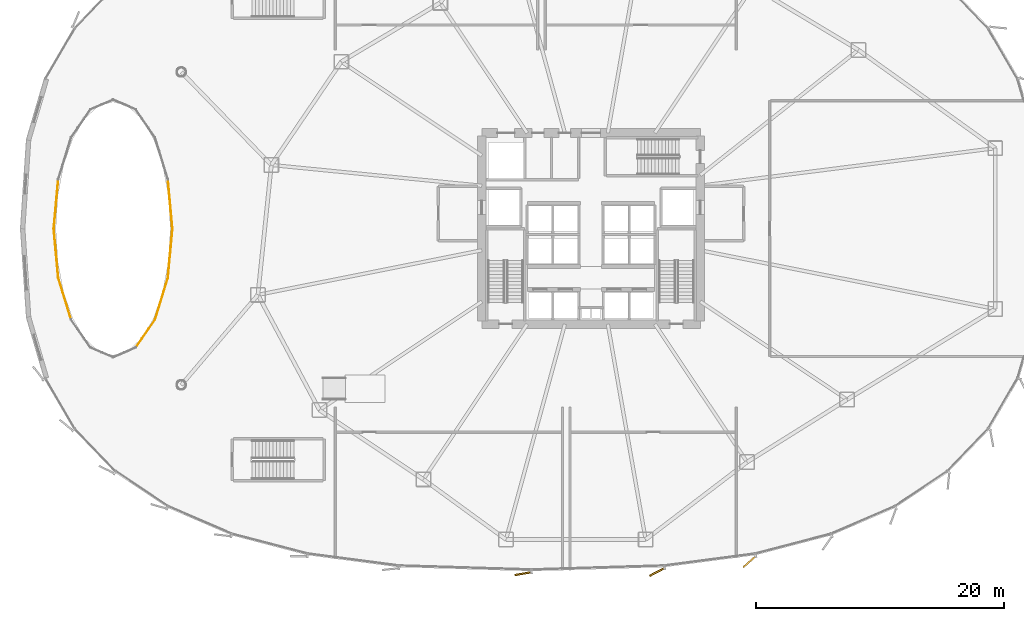
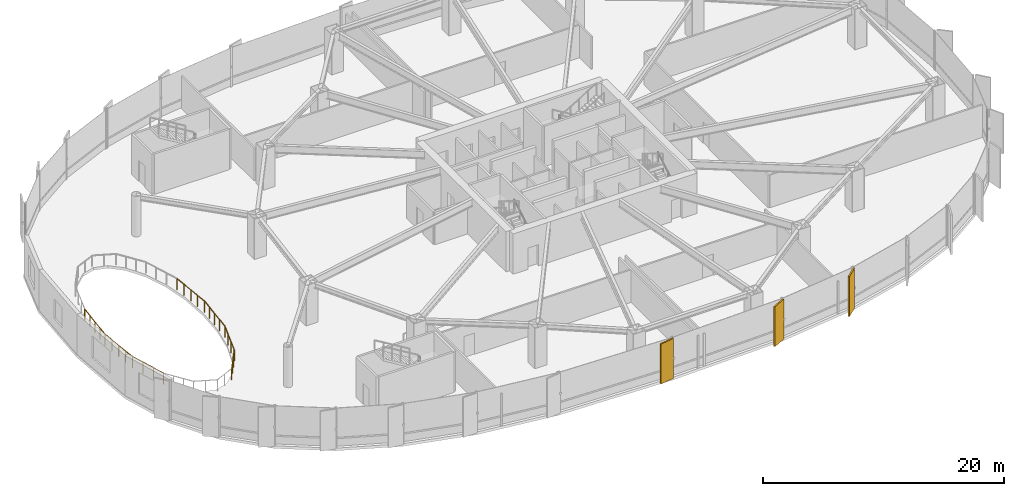
# One storey, part 30 of 34: 7 railings, 3 coverings.
"""IFC4 building model written with IfcOpenShell, lengths in metres."""

import ifcopenshell
import ifcopenshell.guid

model = None  # the IFC model being written
_history = None  # IfcOwnerHistory: only IFC2X3 demands one
_inside = {}  # id of a spatial element -> (the spatial element, [elements in it])
_under = {}  # id of a project, library or spatial element -> (it, [spatial elements below it])
_declared = {}  # id of a project -> (the project, [libraries it declares])
_typed = {}  # id of a type object -> (the type object, [elements of that type])
_made_of = {}  # id of a material, layer set ... -> (it, [elements and type objects made of it])


def new_model(schema):
    """Start an empty IFC model of exactly this schema.

    Asked for "IFC4X3", IfcOpenShell would pick the latest addendum, in which some entities
    have other attributes; the version numbers below select the first issue.
    IFC2X3 requires an IfcOwnerHistory on every rooted entity: one is made here for all.
    """
    global model, _history
    if schema == "IFC4X3":
        model = ifcopenshell.file(schema_version=(4, 3, 0, 0))
    else:
        model = ifcopenshell.file(schema=schema)
    _inside.clear()
    _under.clear()
    _declared.clear()
    _typed.clear()
    _made_of.clear()
    _history = None
    if model.schema == "IFC2X3":
        org = make("IfcOrganization", Name="unknown")
        user = make(
            "IfcPersonAndOrganization",
            ThePerson=make("IfcPerson", FamilyName="unknown"),
            TheOrganization=org,
        )
        app = make(
            "IfcApplication",
            ApplicationDeveloper=org,
            Version="unknown",
            ApplicationFullName="unknown",
            ApplicationIdentifier="unknown",
        )
        _history = make(
            "IfcOwnerHistory",
            OwningUser=user,
            OwningApplication=app,
            ChangeAction="ADDED",
            CreationDate=0,
        )
    return model


def make(cls, **values):
    """One entity of the class cls with the attributes given. An attribute that is None is left unset."""
    return model.create_entity(
        cls, **{name: value for name, value in values.items() if value is not None}
    )


def rooted(cls, **values):
    """An entity with a GlobalId (a new one), such as an element, a storey or a relation."""
    return make(cls, GlobalId=ifcopenshell.guid.new(), OwnerHistory=_history, **values)


def si_unit(unit_type, name, prefix=None):
    """IfcSIUnit, for example si_unit("LENGTHUNIT", "METRE", prefix="MILLI")."""
    return make("IfcSIUnit", UnitType=unit_type, Prefix=prefix, Name=name)


def assignment(units):
    """IfcUnitAssignment: the units of a project."""
    return None if units is None else make("IfcUnitAssignment", Units=units)


def point(xyz):
    """IfcCartesianPoint."""
    return None if xyz is None else make("IfcCartesianPoint", Coordinates=xyz)


def direction(xyz):
    """IfcDirection."""
    return None if xyz is None else make("IfcDirection", DirectionRatios=xyz)


def frame(location, z_axis=None, x_axis=None):
    """IfcAxis2Placement3D, a coordinate frame: its origin and axes. An axis left out is left unset."""
    return make(
        "IfcAxis2Placement3D",
        Location=point(location),
        Axis=direction(z_axis),
        RefDirection=direction(x_axis),
    )


def frame_2d(location, x_axis=None):
    """IfcAxis2Placement2D, a coordinate frame in the plane: its origin and x axis."""
    return make(
        "IfcAxis2Placement2D", Location=point(location), RefDirection=direction(x_axis)
    )


def origin():
    """The frame at (0, 0, 0) with its axes left unset."""
    return frame((0.0, 0.0, 0.0))


def origin_2d():
    """The frame at (0, 0) in the plane with its x axis left unset."""
    return frame_2d((0.0, 0.0))


def place(relative_to, where):
    """IfcLocalPlacement: puts the frame where relative to a parent placement (None: the world)."""
    return make(
        "IfcLocalPlacement", PlacementRelTo=relative_to, RelativePlacement=where
    )


def context(
    kind, dimensions, precision=None, world=None, true_north=None, identifier=None
):
    """IfcGeometricRepresentationContext, for example the 3D "Model" context."""
    return make(
        "IfcGeometricRepresentationContext",
        ContextIdentifier=identifier,
        ContextType=kind,
        CoordinateSpaceDimension=dimensions,
        Precision=precision,
        WorldCoordinateSystem=world,
        TrueNorth=true_north,
    )


def subcontext(parent, identifier, kind, view, scale=None):
    """IfcGeometricRepresentationSubContext, for example "Body" below "Model"."""
    return make(
        "IfcGeometricRepresentationSubContext",
        ContextIdentifier=identifier,
        ContextType=kind,
        ParentContext=parent,
        TargetScale=scale,
        TargetView=view,
    )


def project(units=None, contexts=None):
    """IfcProject with its units and contexts."""
    return rooted(
        "IfcProject",
        Name="project",
        RepresentationContexts=contexts,
        UnitsInContext=assignment(units),
    )


def spatial(cls, under=None, at=None, **own):
    """A site, building, storey or space (cls), placed at a placement, below another one or the project."""
    s = rooted(cls, ObjectPlacement=at, **own)
    if under is not None:
        _under.setdefault(under.id(), (under, []))[1].append(s)
    return s


def profile(cls, at=None, kind="AREA", **sizes):
    """A parametric profile (cls). Its sizes go by their IFC names, for example OverallWidth=200.0."""
    return make(cls, ProfileType=kind, Position=at, **sizes)


def rectangle(**sizes):
    """IfcRectangleProfileDef."""
    return profile("IfcRectangleProfileDef", **sizes)


def circle(**sizes):
    """IfcCircleProfileDef."""
    return profile("IfcCircleProfileDef", **sizes)


def extrude(swept, where, along, depth):
    """IfcExtrudedAreaSolid: the profile swept, set in the frame where, extruded along a direction by depth."""
    return make(
        "IfcExtrudedAreaSolid",
        SweptArea=swept,
        Position=where,
        ExtrudedDirection=direction(along),
        Depth=depth,
    )


def shape(context_of_items, identifier, shape_type, items):
    """IfcShapeRepresentation: the items that make up one representation, for example the "Body"."""
    return make(
        "IfcShapeRepresentation",
        ContextOfItems=context_of_items,
        RepresentationIdentifier=identifier,
        RepresentationType=shape_type,
        Items=items,
    )


def source(mapping_origin, context_of_items, identifier, shape_type, items):
    """IfcRepresentationMap: a shape defined once, which mapped items show again and again."""
    return make(
        "IfcRepresentationMap",
        MappingOrigin=mapping_origin,
        MappedRepresentation=shape(context_of_items, identifier, shape_type, items),
    )


def transform(
    local_origin,
    x_axis=None,
    y_axis=None,
    z_axis=None,
    scale=None,
    scale2=None,
    scale3=None,
    uniform=True,
):
    """IfcCartesianTransformationOperator3D, or its non-uniform kind. x_axis, y_axis, z_axis: its Axis1, 2, 3."""
    if uniform:
        return make(
            "IfcCartesianTransformationOperator3D",
            Axis1=direction(x_axis),
            Axis2=direction(y_axis),
            LocalOrigin=point(local_origin),
            Scale=scale,
            Axis3=direction(z_axis),
        )
    return make(
        "IfcCartesianTransformationOperator3DnonUniform",
        Axis1=direction(x_axis),
        Axis2=direction(y_axis),
        LocalOrigin=point(local_origin),
        Scale=scale,
        Axis3=direction(z_axis),
        Scale2=scale2,
        Scale3=scale3,
    )


def mapped(mapping_source, mapping_target):
    """IfcMappedItem: shows the shape of a source again, moved by a transform."""
    return make(
        "IfcMappedItem", MappingSource=mapping_source, MappingTarget=mapping_target
    )


def material(Name=None, Category=None):
    """IfcMaterial."""
    return make("IfcMaterial", Name=Name, Category=Category)


def layer(
    of_material, thickness, ventilated=None, Name=None, Category=None, Priority=None
):
    """IfcMaterialLayer: one layer of a wall or slab, of a material (None: an air gap)."""
    return make(
        "IfcMaterialLayer",
        Material=of_material,
        LayerThickness=thickness,
        IsVentilated=ventilated,
        Name=Name,
        Category=Category,
        Priority=Priority,
    )


def layer_set(layers, Name=None):
    """IfcMaterialLayerSet."""
    return make("IfcMaterialLayerSet", MaterialLayers=layers, LayerSetName=Name)


def made_of(thing, what):
    """Note that an element or type object is made of a material, layer set ...; save() writes the relation."""
    if what is not None:
        _made_of.setdefault(what.id(), (what, []))[1].append(thing)
    return thing


def type_object(cls, material=None, **own):
    """A type object (cls), such as IfcWallType, which elements share."""
    return made_of(rooted(cls, **own), material)


def element(
    cls,
    number,
    at=None,
    inside=None,
    cuts=None,
    type_object=None,
    material=None,
    context=None,
    identifier="Body",
    shape_type=None,
    held_by="IfcProductDefinitionShape",
    body=None,
    shapes=None,
    **own,
):
    """One element of the class cls, such as IfcWall. Its Tag is "e" and its number.

    at: its placement. inside: the storey or other place that contains it. cuts: it is an
    opening in that element (IfcRelVoidsElement). A single representation is given by context,
    identifier, shape_type and body (its items); several are given by shapes. held_by: the class
    of the entity that holds the representations. save() writes the other relations.
    """
    e = rooted(cls, Tag="e%d" % number, ObjectPlacement=at, **own)
    if body is not None:
        shapes = [shape(context, identifier, shape_type, body)]
    if shapes is not None:
        e.Representation = make(held_by, Representations=shapes)
    if inside is not None:
        _inside.setdefault(inside.id(), (inside, []))[1].append(e)
    if cuts is not None:
        rooted(
            "IfcRelVoidsElement", RelatingBuildingElement=cuts, RelatedOpeningElement=e
        )
    if type_object is not None:
        _typed.setdefault(type_object.id(), (type_object, []))[1].append(e)
    return made_of(e, material)


def aggregate(whole, parts):
    """IfcRelAggregates: a whole, such as a stair, and the parts it consists of."""
    return rooted("IfcRelAggregates", RelatingObject=whole, RelatedObjects=parts)


def save(model, path):
    """Write the relations noted so far, then the file.

    IfcRelAggregates (storeys below a building ...), IfcRelContainedInSpatialStructure (elements
    in a storey), IfcRelDefinesByType, IfcRelAssociatesMaterial and IfcRelDeclares: one each for
    every whole, place, type object, material and project.
    """
    for whole, parts in _under.values():
        aggregate(whole, parts)
    for where, things in _inside.values():
        rooted(
            "IfcRelContainedInSpatialStructure",
            RelatedElements=things,
            RelatingStructure=where,
        )
    for kind, things in _typed.values():
        rooted("IfcRelDefinesByType", RelatedObjects=things, RelatingType=kind)
    for what, things in _made_of.values():
        rooted("IfcRelAssociatesMaterial", RelatedObjects=things, RelatingMaterial=what)
    for by, libraries in _declared.values():
        rooted("IfcRelDeclares", RelatingContext=by, RelatedDefinitions=libraries)
    model.write(path)


model = new_model("IFC4")

# Units and contexts
model_context = context("Model", 3, precision=1e-05, world=origin(), true_north=direction((0.0, 1.0)))
body_context = subcontext(model_context, "Body", "Model", "MODEL_VIEW")
ifc_project = project(units=[si_unit("LENGTHUNIT", "METRE"), si_unit("AREAUNIT", "SQUARE_METRE"), si_unit("VOLUMEUNIT", "CUBIC_METRE"), si_unit("PLANEANGLEUNIT", "RADIAN"), si_unit("MASSUNIT", "GRAM", prefix="KILO"), si_unit("THERMODYNAMICTEMPERATUREUNIT", "KELVIN")], contexts=[model_context])

# Site, building, storey
site_placement = place(None, origin())
site = spatial("IfcSite", under=ifc_project, at=site_placement, CompositionType="ELEMENT")
building_placement = place(site_placement, origin())
building = spatial("IfcBuilding", under=site, at=building_placement, Name="Kethvar Cultural Tower", CompositionType="ELEMENT")
storey_placement = place(building_placement, frame((0.0, 0.0, 19.60009765625)))
storey = spatial("IfcBuildingStorey", under=building, at=storey_placement, Name="L04", CompositionType="ELEMENT", Elevation=19.60009765625)

# Railings
ifc_material_1 = material(Name="Steel S355J2", Category="steel")
railing_type = type_object("IfcRailingType", Name="RL-INT-ATRIUM-1150", PredefinedType="BALUSTRADE", material=ifc_material_1)
railing_1_placement = place(storey_placement, frame((13.080078125, 27.800048828125, 0.0)))
element("IfcRailing", 1, at=railing_1_placement, inside=storey, type_object=railing_type, Name="L04 Atrium Void Balustrade 01", PredefinedType="BALUSTRADE", context=body_context, shape_type="SweptSolid", body=[
    extrude(circle(Radius=0.02392578125, at=origin_2d()), frame((0.0, 0.0, 1.1259765625), z_axis=(-0.091258659419, 0.995827222504, 0.0), x_axis=(-0.995827222504, -0.091258659419, 0.0)), (0.0, 0.0, 1.0), 3.98876953125),
    extrude(circle(Radius=0.02099609375, at=origin_2d()), origin(), (0.0, 0.0, 1.0), 1.101806640625),
    extrude(circle(Radius=0.02099609375, at=origin_2d()), frame((-0.091064453125, 0.9931640625, 0.0)), (0.0, 0.0, 1.0), 1.101806640625),
    extrude(circle(Radius=0.02099609375, at=origin_2d()), frame((-0.18212890625, 1.986083984375, 0.0)), (0.0, 0.0, 1.0), 1.101806640625),
    extrude(circle(Radius=0.02099609375, at=origin_2d()), frame((-0.27294921875, 2.97900390625, 0.0)), (0.0, 0.0, 1.0), 1.101806640625),
    extrude(circle(Radius=0.02099609375, at=origin_2d()), frame((-0.364013671875, 3.97216796875, 0.0)), (0.0, 0.0, 1.0), 1.101806640625),
])
railing_2_placement = place(storey_placement, frame((3.8837890625, 31.772216796875, 0.0)))
element("IfcRailing", 2, at=railing_2_placement, inside=storey, type_object=railing_type, Name="L04 Atrium Void Balustrade 08", PredefinedType="BALUSTRADE", context=body_context, shape_type="SweptSolid", body=[
    extrude(circle(Radius=0.02392578125, at=origin_2d()), frame((0.0, 0.0, 1.1259765625), z_axis=(-0.091197962302, -0.995832782987, 0.0), x_axis=(0.995832782987, -0.091197962302, 0.0)), (0.0, 0.0, 1.0), 3.98876953125),
    extrude(circle(Radius=0.02099609375, at=origin_2d()), origin(), (0.0, 0.0, 1.0), 1.101806640625),
    extrude(circle(Radius=0.02099609375, at=origin_2d()), frame((-0.0908203125, -0.9931640625, 0.0)), (0.0, 0.0, 1.0), 1.101806640625),
    extrude(circle(Radius=0.02099609375, at=origin_2d()), frame((-0.181884765625, -1.986083984375, 0.0)), (0.0, 0.0, 1.0), 1.101806640625),
    extrude(circle(Radius=0.02099609375, at=origin_2d()), frame((-0.27294921875, -2.97900390625, 0.0)), (0.0, 0.0, 1.0), 1.101806640625),
    extrude(circle(Radius=0.02099609375, at=origin_2d()), frame((-0.36376953125, -3.97216796875, 0.0)), (0.0, 0.0, 1.0), 1.101806640625),
])
railing_3_placement = place(storey_placement, frame((3.52001953125, 27.800048828125, 0.0)))
element("IfcRailing", 3, at=railing_3_placement, inside=storey, type_object=railing_type, Name="L04 Atrium Void Balustrade 09", PredefinedType="BALUSTRADE", context=body_context, shape_type="SweptSolid", body=[
    extrude(circle(Radius=0.02392578125, at=origin_2d()), frame((0.0, 0.0, 1.1259765625), z_axis=(0.091192403975, -0.995833292001, 0.0), x_axis=(0.995833292001, 0.091192403975, 0.0)), (0.0, 0.0, 1.0), 3.989013671875),
    extrude(circle(Radius=0.02099609375, at=origin_2d()), origin(), (0.0, 0.0, 1.0), 1.101806640625),
    extrude(circle(Radius=0.02099609375, at=origin_2d()), frame((0.0908203125, -0.9931640625, 0.0)), (0.0, 0.0, 1.0), 1.101806640625),
    extrude(circle(Radius=0.02099609375, at=origin_2d()), frame((0.181884765625, -1.986328125, 0.0)), (0.0, 0.0, 1.0), 1.101806640625),
    extrude(circle(Radius=0.02099609375, at=origin_2d()), frame((0.27294921875, -2.979248046875, 0.0)), (0.0, 0.0, 1.0), 1.101806640625),
    extrude(circle(Radius=0.02099609375, at=origin_2d()), frame((0.36376953125, -3.972412109375, 0.0)), (0.0, 0.0, 1.0), 1.101806640625),
])
railing_4_placement = place(storey_placement, frame((3.8837890625, 23.82763671875, 0.0)))
element("IfcRailing", 4, at=railing_4_placement, inside=storey, type_object=railing_type, Name="L04 Atrium Void Balustrade 10", PredefinedType="BALUSTRADE", context=body_context, shape_type="SweptSolid", body=[
    extrude(circle(Radius=0.02392578125, at=origin_2d()), frame((0.0, 0.0, 1.1259765625), z_axis=(0.294085848838, -0.955779008722, 0.0), x_axis=(0.955779008722, 0.294085848838, 0.0)), (0.0, 0.0, 1.0), 3.523193359375),
    extrude(circle(Radius=0.02099609375, at=origin_2d()), origin(), (0.0, 0.0, 1.0), 1.101806640625),
    extrude(circle(Radius=0.02099609375, at=origin_2d()), frame((0.345458984375, -1.12255859375, 0.0)), (0.0, 0.0, 1.0), 1.101806640625),
    extrude(circle(Radius=0.02099609375, at=origin_2d()), frame((0.690673828125, -2.244873046875, 0.0)), (0.0, 0.0, 1.0), 1.101806640625),
    extrude(circle(Radius=0.02099609375, at=origin_2d()), frame((1.0361328125, -3.367431640625, 0.0)), (0.0, 0.0, 1.0), 1.101806640625),
])
railing_5_placement = place(storey_placement, frame((10.129150390625, 18.210205078125, 0.0)))
element("IfcRailing", 5, at=railing_5_placement, inside=storey, type_object=railing_type, Name="L04 Atrium Void Balustrade 14", PredefinedType="BALUSTRADE", context=body_context, shape_type="SweptSolid", body=[
    extrude(circle(Radius=0.02392578125, at=origin_2d()), frame((0.0, 0.0, 1.1259765625), z_axis=(0.567499103601, 0.823374014293, 0.0), x_axis=(-0.823374014293, 0.567499103601, 0.0)), (0.0, 0.0, 1.0), 2.732666015625),
    extrude(circle(Radius=0.02099609375, at=origin_2d()), origin(), (0.0, 0.0, 1.0), 1.101806640625),
    extrude(circle(Radius=0.02099609375, at=origin_2d()), frame((0.516845703125, 0.75, 0.0)), (0.0, 0.0, 1.0), 1.101806640625),
    extrude(circle(Radius=0.02099609375, at=origin_2d()), frame((1.033935546875, 1.5, 0.0)), (0.0, 0.0, 1.0), 1.101806640625),
    extrude(circle(Radius=0.02099609375, at=origin_2d()), frame((1.55078125, 2.25, 0.0)), (0.0, 0.0, 1.0), 1.101806640625),
])
railing_6_placement = place(storey_placement, frame((11.679931640625, 20.460205078125, 0.0)))
element("IfcRailing", 6, at=railing_6_placement, inside=storey, type_object=railing_type, Name="L04 Atrium Void Balustrade 15", PredefinedType="BALUSTRADE", context=body_context, shape_type="SweptSolid", body=[
    extrude(circle(Radius=0.02392578125, at=origin_2d()), frame((0.0, 0.0, 1.1259765625), z_axis=(0.294085848838, 0.955779008722, 0.0), x_axis=(-0.955779008722, 0.294085848838, 0.0)), (0.0, 0.0, 1.0), 3.523193359375),
    extrude(circle(Radius=0.02099609375, at=origin_2d()), origin(), (0.0, 0.0, 1.0), 1.101806640625),
    extrude(circle(Radius=0.02099609375, at=origin_2d()), frame((0.345458984375, 1.12255859375, 0.0)), (0.0, 0.0, 1.0), 1.101806640625),
    extrude(circle(Radius=0.02099609375, at=origin_2d()), frame((0.690673828125, 2.244873046875, 0.0)), (0.0, 0.0, 1.0), 1.101806640625),
    extrude(circle(Radius=0.02099609375, at=origin_2d()), frame((1.0361328125, 3.367431640625, 0.0)), (0.0, 0.0, 1.0), 1.101806640625),
])
railing_7_placement = place(storey_placement, frame((12.716064453125, 23.82763671875, 0.0)))
element("IfcRailing", 7, at=railing_7_placement, inside=storey, type_object=railing_type, Name="L04 Atrium Void Balustrade 16", PredefinedType="BALUSTRADE", context=body_context, shape_type="SweptSolid", body=[
    extrude(circle(Radius=0.02392578125, at=origin_2d()), frame((0.0, 0.0, 1.1259765625), z_axis=(0.091253097456, 0.995827732193, 0.0), x_axis=(-0.995827732193, 0.091253097456, 0.0)), (0.0, 0.0, 1.0), 3.989013671875),
    extrude(circle(Radius=0.02099609375, at=origin_2d()), origin(), (0.0, 0.0, 1.0), 1.101806640625),
    extrude(circle(Radius=0.02099609375, at=origin_2d()), frame((0.091064453125, 0.9931640625, 0.0)), (0.0, 0.0, 1.0), 1.101806640625),
    extrude(circle(Radius=0.02099609375, at=origin_2d()), frame((0.18212890625, 1.986328125, 0.0)), (0.0, 0.0, 1.0), 1.101806640625),
    extrude(circle(Radius=0.02099609375, at=origin_2d()), frame((0.27294921875, 2.979248046875, 0.0)), (0.0, 0.0, 1.0), 1.101806640625),
    extrude(circle(Radius=0.02099609375, at=origin_2d()), frame((0.364013671875, 3.972412109375, 0.0)), (0.0, 0.0, 1.0), 1.101806640625),
])

# Coverings
ifc_material_2 = material(Name="Extruded Architectural Terracotta", Category="masonry")
ifc_layer = layer(ifc_material_2, 0.135009765625, Name="Extruded Architectural Terracotta", Category="masonry")
ifc_layer_set = layer_set([ifc_layer], Name="Extruded Architectural Terracotta (135 mm)")
covering_type = type_object("IfcCoveringType", Name="Terracotta Facade Fin FIN-04", PredefinedType="CLADDING", material=ifc_layer_set)
shared_shape = source(origin(), body_context, "Body", "SweptSolid", [
    extrude(rectangle(XDim=1.35009765625, YDim=0.135009765625, at=origin_2d()), origin(), (0.0, 0.0, 1.0), 4.0400390625),
])
for number, where, z_axis, x_axis, name in (
    (8, (41.337158203125, 0.005859375, 0.019775390625), (0.0, 0.0, 1.0), (-0.985615113142, -0.169005469575, 0.0), "L04 Vertical Terracotta Fin 5.2"),
    (9, (52.12451171875, 0.137939453125, 0.019775390625), (0.0, 0.0, 1.0), (-0.891481453292, -0.453057191132, 0.0), "L04 Vertical Terracotta Fin 5.3"),
    (10, (59.564697265625, 0.964599609375, 0.019775390625), (0.0, 0.0, 1.0), (-0.748608671094, -0.663012109666, 0.0), "L04 Vertical Terracotta Fin 5.4"),
):
    element("IfcCovering", number, at=place(storey_placement, frame(where, z_axis=z_axis, x_axis=x_axis)), inside=storey, type_object=covering_type, Name=name, PredefinedType="CLADDING", context=body_context, shape_type="MappedRepresentation", body=[
        mapped(shared_shape, transform((0.0, 0.0, 0.0), scale=1.0)),
    ])

save(model, "model.ifc")
